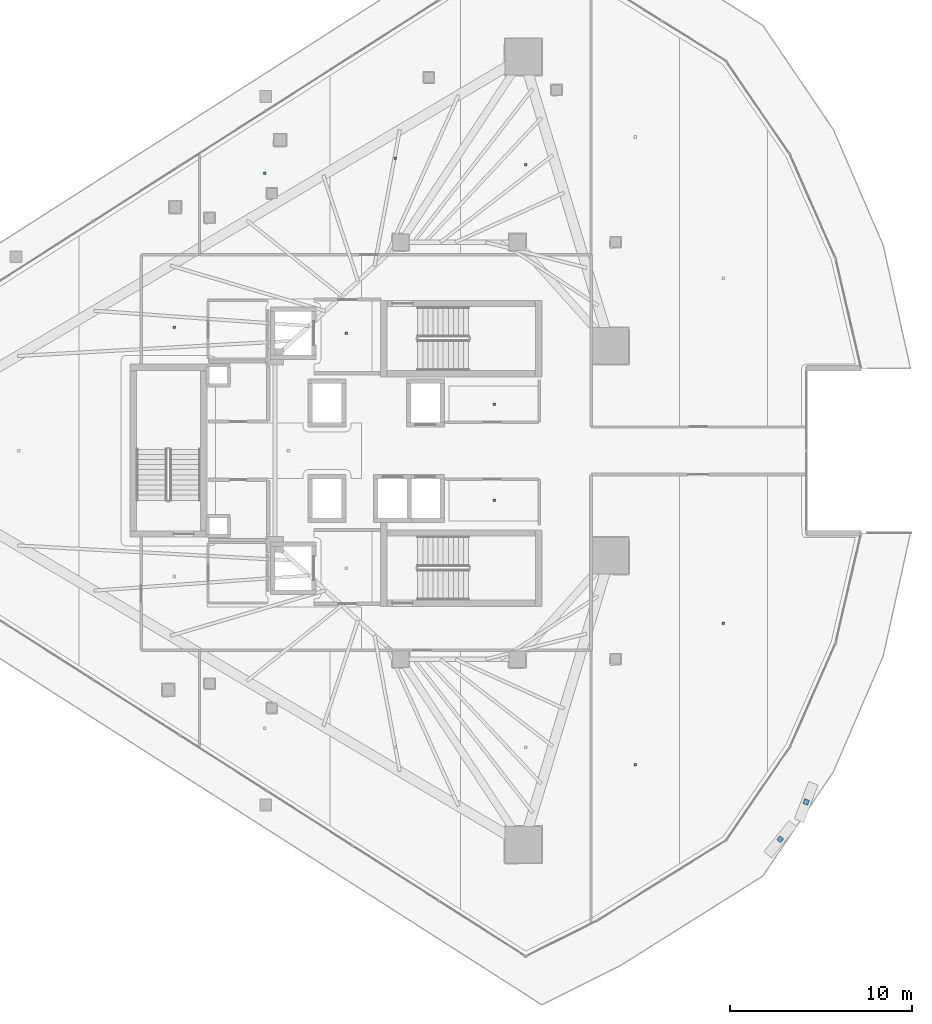
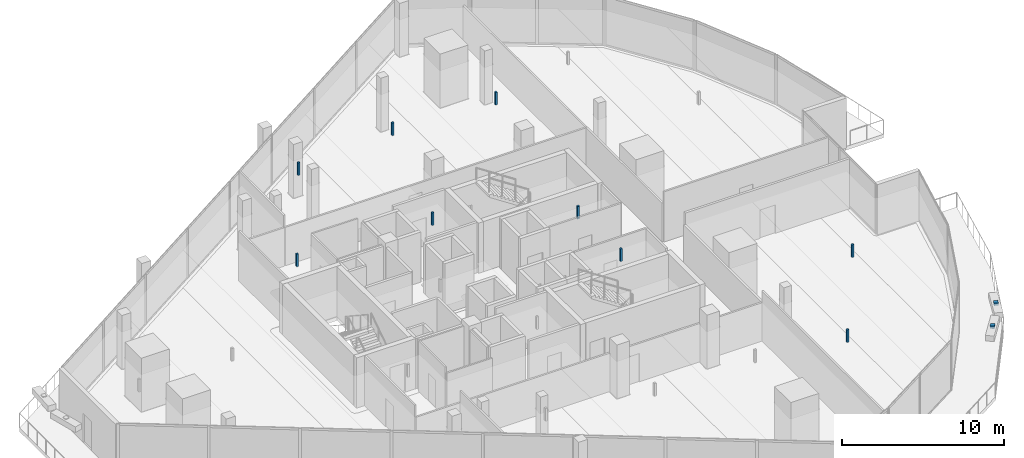
# One storey, part 28 of 36: 11 discrete accessories.
"""IFC4 building model written with IfcOpenShell, lengths in metres."""

from ifc_helpers import new_model, si_unit, direction, frame, origin, origin_2d, place, context, subcontext, project, spatial, rectangle, extrude, material, type_object, element, save


model = new_model("IFC4")

# Units and contexts
model_context = context("Model", 3, precision=1e-05, world=origin(), true_north=direction((0.0, 1.0)))
body_context = subcontext(model_context, "Body", "Model", "MODEL_VIEW")
ifc_project = project(units=[si_unit("LENGTHUNIT", "METRE"), si_unit("AREAUNIT", "SQUARE_METRE"), si_unit("VOLUMEUNIT", "CUBIC_METRE"), si_unit("PLANEANGLEUNIT", "RADIAN"), si_unit("MASSUNIT", "GRAM", prefix="KILO")], contexts=[model_context])

# Site, building, storey
site_placement = place(None, origin())
site = spatial("IfcSite", under=ifc_project, at=site_placement, CompositionType="ELEMENT")
building_placement = place(site_placement, origin())
building = spatial("IfcBuilding", under=site, at=building_placement, Name="Qorvath Tower", CompositionType="ELEMENT")
storey_placement = place(building_placement, frame((0.0, 0.0, 192.89990234375)))
storey = spatial("IfcBuildingStorey", under=building, at=storey_placement, Name="L44", CompositionType="ELEMENT", Elevation=192.89990234375)

# Discrete accessories
ifc_material = material(Name="Galvanised steel bracket", Category="steel")
discrete_accessory_type = type_object("IfcDiscreteAccessoryType", Name="DA-BRACKET", PredefinedType="BRACKET", material=ifc_material)
for number, where, z_axis, x_axis, name in (
    (1, (-2.759521484375, -21.33642578125, 3.64013671875), (0.0, 0.0, 1.0), (0.628628390287, 0.777705822869, 0.0), "Louvre Wave Support Bracket L44-03"),
    (2, (-1.33935546875, -19.288818359375, 3.64013671875), (0.0, 0.0, 1.0), (0.357683503127, 0.933842873074, 0.0), "Louvre Wave Support Bracket L44-04"),
):
    element("IfcDiscreteAccessory", number, at=place(storey_placement, frame(where, z_axis=z_axis, x_axis=x_axis)), inside=storey, type_object=discrete_accessory_type, Name=name, PredefinedType="NOTDEFINED", context=body_context, shape_type="SweptSolid", body=[
        extrude(rectangle(XDim=0.280029296875, YDim=0.280029296875, at=origin_2d()), origin(), (0.0, 0.0, 1.0), 0.199951171875),
    ])
for number, where, z_axis, x_axis, name in (
    (3, (-26.590087890625, 6.449951171875, 2.85986328125), (0.0, 0.0, 1.0), (1.0, 0.0, 0.0), "Acoustic Ceiling Suspension Hanger T1-L44-001"),
    (4, (-18.472412109375, 2.5625, 2.85986328125), (0.0, 0.0, 1.0), (1.0, 0.0, 0.0), "Acoustic Ceiling Suspension Hanger T1-L44-003"),
    (5, (-18.472412109375, -2.70751953125, 2.85986328125), (0.0, 0.0, 1.0), (1.0, 0.0, 0.0), "Acoustic Ceiling Suspension Hanger T1-L44-004"),
    (6, (-36.040283203125, 6.782470703125, 2.85986328125), (0.0, 0.0, 1.0), (1.0, 0.0, 0.0), "Acoustic Ceiling Suspension Hanger T1-L44-010"),
    (7, (-31.056640625, 15.23681640625, 2.85986328125), (0.0, 0.0, 1.0), (1.0, 0.0, 0.0), "Acoustic Ceiling Suspension Hanger T1-L44-015"),
    (8, (-23.89599609375, 16.05126953125, 2.85986328125), (0.0, 0.0, 1.0), (1.0, 0.0, 0.0), "Acoustic Ceiling Suspension Hanger T1-L44-016"),
    (9, (-16.7353515625, 15.712646484375, 2.85986328125), (0.0, 0.0, 1.0), (1.0, 0.0, 0.0), "Acoustic Ceiling Suspension Hanger T1-L44-017"),
    (10, (-10.72021484375, -17.236328125, 2.85986328125), (0.0, 0.0, 1.0), (1.0, 0.0, 0.0), "Acoustic Ceiling Suspension Hanger T1-L44-024"),
    (11, (-5.886962890625, -9.474609375, 2.85986328125), (0.0, 0.0, 1.0), (1.0, 0.0, 0.0), "Acoustic Ceiling Suspension Hanger T1-L44-025"),
):
    element("IfcDiscreteAccessory", number, at=place(storey_placement, frame(where, z_axis=z_axis, x_axis=x_axis)), inside=storey, type_object=discrete_accessory_type, Name=name, PredefinedType="NOTDEFINED", context=body_context, shape_type="SweptSolid", body=[
        extrude(rectangle(XDim=0.139892578125, YDim=0.139892578125, at=origin_2d()), origin(), (0.0, 0.0, 1.0), 0.949951171875),
    ])

save(model, "model.ifc")
